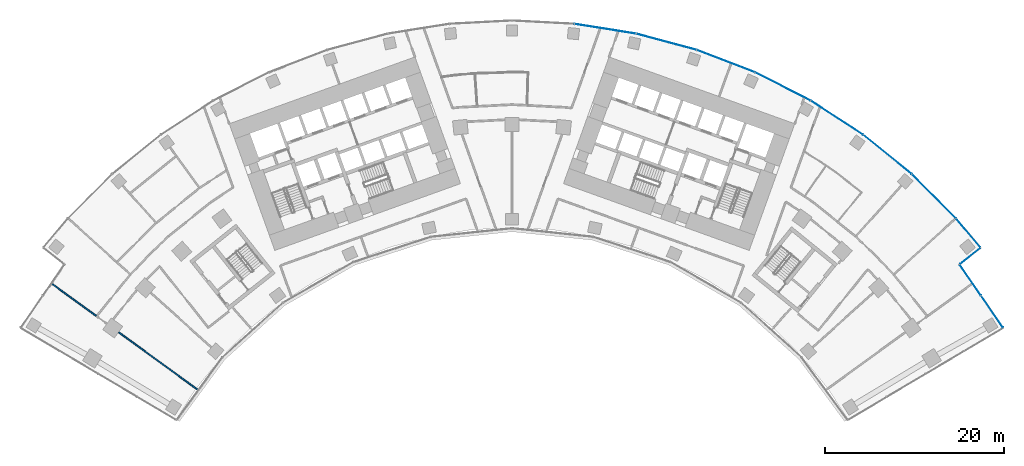
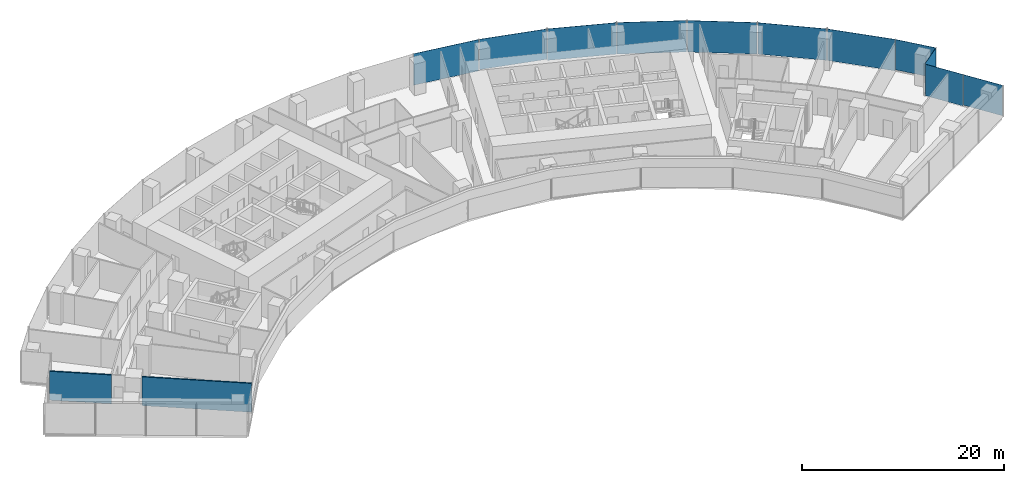
# One storey, part 13 of 21: 11 plates, 2 walls, 3 elements without a shape of their own.
"""IFC4 building model written with IfcOpenShell, lengths in metres."""

from ifc_helpers import new_model, si_unit, direction, frame, frame_2d, origin, origin_2d, place, context, subcontext, project, spatial, rectangle, extrude, material, layer, layer_set, type_object, element, aggregate, save


model = new_model("IFC4")

# Units and contexts
model_context = context("Model", 3, precision=1e-05, world=origin(), true_north=direction((0.0, 1.0)))
body_context = subcontext(model_context, "Body", "Model", "MODEL_VIEW")
ifc_project = project(units=[si_unit("LENGTHUNIT", "METRE"), si_unit("AREAUNIT", "SQUARE_METRE"), si_unit("VOLUMEUNIT", "CUBIC_METRE"), si_unit("PLANEANGLEUNIT", "RADIAN"), si_unit("MASSUNIT", "GRAM", prefix="KILO")], contexts=[model_context])

# Site, building, storey
site_placement = place(None, origin())
site = spatial("IfcSite", under=ifc_project, at=site_placement, CompositionType="ELEMENT")
building_placement = place(site_placement, origin())
building = spatial("IfcBuilding", under=site, at=building_placement, Name="Stone Belt Terrace Tower", CompositionType="ELEMENT")
storey_placement = place(building_placement, frame((0.0, 0.0, 37.60009765625)))
storey = spatial("IfcBuildingStorey", under=building, at=storey_placement, Name="L08", CompositionType="ELEMENT", Elevation=37.60009765625)

# Curtain wall, plates
ifc_material_1 = material(Name="Aluminium 6063-T6 anodised frame", Category="aluminium")
ifc_layer_1 = layer(ifc_material_1, 0.14990234375)
ifc_layer_set_1 = layer_set([ifc_layer_1], Name="CW-A unitised convex-face curtain wall")
curtain_wall_type_1 = type_object("IfcCurtainWallType", Name="CW-A unitised convex-face curtain wall", PredefinedType="NOTDEFINED", material=ifc_layer_set_1)
curtain_wall_1_placement = place(storey_placement, origin())
curtain_wall_1 = element("IfcCurtainWall", 1, at=curtain_wall_1_placement, inside=storey, type_object=curtain_wall_type_1, Name="CW-A convex face L08", PredefinedType="NOTDEFINED")
ifc_material_2 = material(Name="Clear double glazed unit")
ifc_layer_2 = layer(ifc_material_2, 0.031982421875)
ifc_layer_set_2 = layer_set([ifc_layer_2], Name="CW-A glass panel 32")
plate_type_1 = type_object("IfcPlateType", Name="CW-A glass panel 32", PredefinedType="CURTAIN_PANEL", material=ifc_layer_set_2)
plate_1_placement = place(storey_placement, frame((50.84423828125, 42.92626953125, 0.14013671875), z_axis=(0.0, 0.0, 1.0), x_axis=(-0.645291395384, 0.763936525533, 0.0)))
plate_1 = element("IfcPlate", 2, at=plate_1_placement, type_object=plate_type_1, Name="CW-A panel 1.1", PredefinedType="CURTAIN_PANEL", context=body_context, shape_type="SweptSolid", body=[
    extrude(rectangle(XDim=4.17919921875, YDim=0.031982421875, at=origin_2d()), origin(), (0.0, 0.0, 1.0), 3.659912109375),
])
plate_2_placement = place(storey_placement, frame((47.01123046875, 47.01123046875, 0.0), z_axis=(0.0, 0.0, 1.0), x_axis=(-0.707106781187, 0.707106781187, 0.0)))
plate_2 = element("IfcPlate", 3, at=plate_2_placement, type_object=plate_type_1, Name="CW-A panel 2.1", PredefinedType="CURTAIN_PANEL", context=body_context, shape_type="SweptSolid", body=[
    extrude(rectangle(XDim=6.90087890625, YDim=0.031982421875, at=origin_2d()), origin(), (0.0, 0.0, 1.0), 3.800048828125),
])
plate_3_placement = place(storey_placement, frame((41.839599609375, 51.667724609375, 0.0), z_axis=(0.0, 0.0, 1.0), x_axis=(-0.777145961457, 0.62932039105, 0.0)))
plate_3 = element("IfcPlate", 4, at=plate_3_placement, type_object=plate_type_1, Name="CW-A panel 3.1", PredefinedType="CURTAIN_PANEL", context=body_context, shape_type="SweptSolid", body=[
    extrude(rectangle(XDim=6.90087890625, YDim=0.031982421875, at=origin_2d()), origin(), (0.0, 0.0, 1.0), 3.800048828125),
])
plate_4_placement = place(storey_placement, frame((36.209716796875, 55.758056640625, 0.0), z_axis=(0.0, 0.0, 1.0), x_axis=(-0.838670567945, 0.544639035015, 0.0)))
plate_4 = element("IfcPlate", 5, at=plate_4_placement, type_object=plate_type_1, Name="CW-A panel 4.1", PredefinedType="CURTAIN_PANEL", context=body_context, shape_type="SweptSolid", body=[
    extrude(rectangle(XDim=6.90087890625, YDim=0.031982421875, at=origin_2d()), origin(), (0.0, 0.0, 1.0), 3.800048828125),
])
plate_5_placement = place(storey_placement, frame((30.18310546875, 59.237548828125, 0.0), z_axis=(0.0, 0.0, 1.0), x_axis=(-0.891006524188, 0.45399049974, 0.0)))
plate_5 = element("IfcPlate", 6, at=plate_5_placement, type_object=plate_type_1, Name="CW-A panel 5.1", PredefinedType="CURTAIN_PANEL", context=body_context, shape_type="SweptSolid", body=[
    extrude(rectangle(XDim=6.90087890625, YDim=0.031982421875, at=origin_2d()), origin(), (0.0, 0.0, 1.0), 3.800048828125),
])
plate_6_placement = place(storey_placement, frame((23.82568359375, 62.068115234375, 0.0), z_axis=(0.0, 0.0, 1.0), x_axis=(-0.933580426497, 0.358367949545, 0.0)))
plate_6 = element("IfcPlate", 7, at=plate_6_placement, type_object=plate_type_1, Name="CW-A panel 6.1", PredefinedType="CURTAIN_PANEL", context=body_context, shape_type="SweptSolid", body=[
    extrude(rectangle(XDim=6.90087890625, YDim=0.031982421875, at=origin_2d()), origin(), (0.0, 0.0, 1.0), 3.800048828125),
])
plate_7_placement = place(storey_placement, frame((17.207275390625, 64.218505859375, 0.14013671875), z_axis=(0.0, 0.0, 1.0), x_axis=(-0.965925826289, 0.258819045103, 0.0)))
plate_7 = element("IfcPlate", 8, at=plate_7_placement, type_object=plate_type_1, Name="CW-A panel 7.1", PredefinedType="CURTAIN_PANEL", context=body_context, shape_type="SweptSolid", body=[
    extrude(rectangle(XDim=6.90087890625, YDim=0.031982421875, at=origin_2d()), origin(), (0.0, 0.0, 1.0), 3.659912109375),
])
plate_8_placement = place(storey_placement, frame((10.400390625, 65.665283203125, 0.0), z_axis=(0.0, 0.0, 1.0), x_axis=(-0.987688340595, 0.15643446504, 0.0)))
plate_8 = element("IfcPlate", 9, at=plate_8_placement, type_object=plate_type_1, Name="CW-A panel 8.1", PredefinedType="CURTAIN_PANEL", context=body_context, shape_type="SweptSolid", body=[
    extrude(rectangle(XDim=6.90087890625, YDim=0.031982421875, at=origin_2d()), origin(), (0.0, 0.0, 1.0), 3.800048828125),
])
aggregate(curtain_wall_1, [plate_1, plate_2, plate_3, plate_4, plate_5, plate_6, plate_7, plate_8])

ifc_layer_3 = layer(ifc_material_1, 0.14990234375)
ifc_layer_set_3 = layer_set([ifc_layer_3], Name="CW-C stick curtain wall, horn ends and notches")
curtain_wall_type_2 = type_object("IfcCurtainWallType", Name="CW-C stick curtain wall, horn ends and notches", PredefinedType="NOTDEFINED", material=ifc_layer_set_3)
curtain_wall_2_placement = place(storey_placement, origin())
curtain_wall_2 = element("IfcCurtainWall", 10, at=curtain_wall_2_placement, inside=storey, type_object=curtain_wall_type_2, Name="CW-C notch face L08", PredefinedType="NOTDEFINED")
ifc_layer_4 = layer(ifc_material_2, 0.028076171875)
ifc_layer_set_4 = layer_set([ifc_layer_4], Name="CW-C glass panel 28")
plate_type_2 = type_object("IfcPlateType", Name="CW-C glass panel 28", PredefinedType="CURTAIN_PANEL", material=ifc_layer_set_4)
plate_9_placement = place(storey_placement, frame((53.501220703125, 34.141357421875, 0.1201171875), z_axis=(0.0, 0.0, 1.0), x_axis=(-0.566375967567, 0.824146991357, 0.0)))
plate_9 = element("IfcPlate", 11, at=plate_9_placement, type_object=plate_type_2, Name="CW-C panel 1.1", PredefinedType="CURTAIN_PANEL", context=body_context, shape_type="SweptSolid", body=[
    extrude(rectangle(XDim=4.268798828125, YDim=0.028076171875, at=origin_2d()), origin(), (0.0, 0.0, 1.0), 3.679931640625),
])
plate_10_placement = place(storey_placement, frame((51.091552734375, 37.647705078125, 0.0), z_axis=(0.0, 0.0, 1.0), x_axis=(-0.566375967567, 0.824146991357, 0.0)))
plate_10 = element("IfcPlate", 12, at=plate_10_placement, type_object=plate_type_2, Name="CW-C panel 2.1", PredefinedType="CURTAIN_PANEL", context=body_context, shape_type="SweptSolid", body=[
    extrude(rectangle(XDim=4.12060546875, YDim=0.028076171875, at=origin_2d()), origin(), (0.0, 0.0, 1.0), 3.800048828125),
])
aggregate(curtain_wall_2, [plate_9, plate_10])

# Curtain wall, plate
curtain_wall_3_placement = place(storey_placement, origin())
curtain_wall_3 = element("IfcCurtainWall", 13, at=curtain_wall_3_placement, inside=storey, type_object=curtain_wall_type_2, Name="CW-C notch face L08", PredefinedType="NOTDEFINED")
plate_11_placement = place(storey_placement, frame((51.061279296875, 40.3388671875, 0.1201171875), z_axis=(0.0, 0.0, 1.0), x_axis=(0.783963828584, 0.620806504051, 0.0)))
plate_11 = element("IfcPlate", 14, at=plate_11_placement, type_object=plate_type_2, Name="CW-C panel 1.1", PredefinedType="CURTAIN_PANEL", context=body_context, shape_type="SweptSolid", body=[
    extrude(rectangle(XDim=2.859375, YDim=0.028076171875, at=origin_2d()), origin(), (0.0, 0.0, 1.0), 3.679931640625),
])
aggregate(curtain_wall_3, [plate_11])

# Walls
ifc_material_3 = material(Name="Gypsum board partition")
ifc_layer_5 = layer(ifc_material_3, 0.14990234375)
ifc_layer_set_5 = layer_set([ifc_layer_5], Name="PARTITION 150 EI 60")
wall_type = type_object("IfcWallType", Name="PARTITION 150 EI 60", PredefinedType="PARTITIONING", material=ifc_layer_set_5)
wall_1_placement = place(storey_placement, frame((-43.82470703125, 31.83984375, 0.0), z_axis=(0.0, 0.0, 1.0), x_axis=(0.80903281135, -0.587763481478, 0.0)))
element("IfcWall", 15, at=wall_1_placement, inside=storey, type_object=wall_type, Name="L08/wall/i032", PredefinedType="PARTITIONING", context=body_context, shape_type="SweptSolid", body=[
    extrude(rectangle(XDim=10.883544921875, YDim=0.14990234375, at=frame_2d((5.44189453125, 0.0))), origin(), (0.0, 0.0, 1.0), 3.47998046875),
])
wall_2_placement = place(storey_placement, frame((-51.27294921875, 37.251708984375, 0.0), z_axis=(0.0, 0.0, 1.0), x_axis=(0.809013729568, -0.587789745887, 0.0)))
element("IfcWall", 16, at=wall_2_placement, inside=storey, type_object=wall_type, Name="L08/wall/i033", PredefinedType="PARTITIONING", context=body_context, shape_type="SweptSolid", body=[
    extrude(rectangle(XDim=6.157958984375, YDim=0.14990234375, at=frame_2d((3.0791015625, 0.0))), origin(), (0.0, 0.0, 1.0), 3.47998046875),
])

save(model, "model.ifc")
